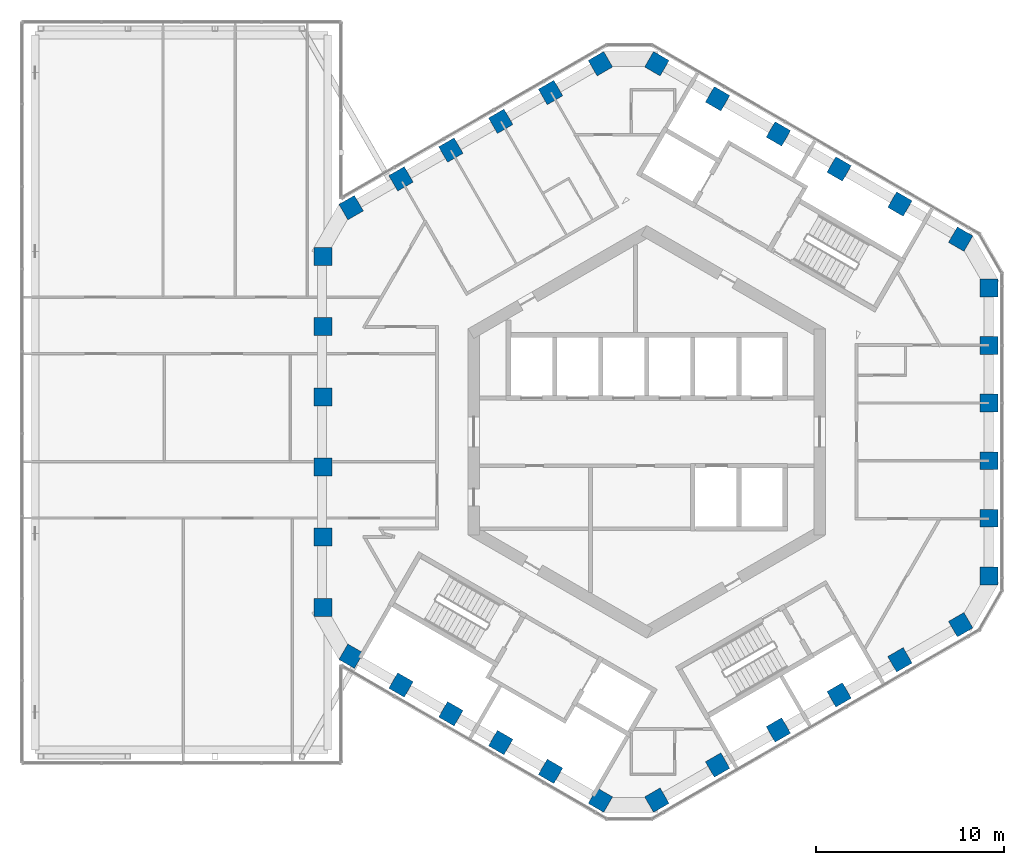
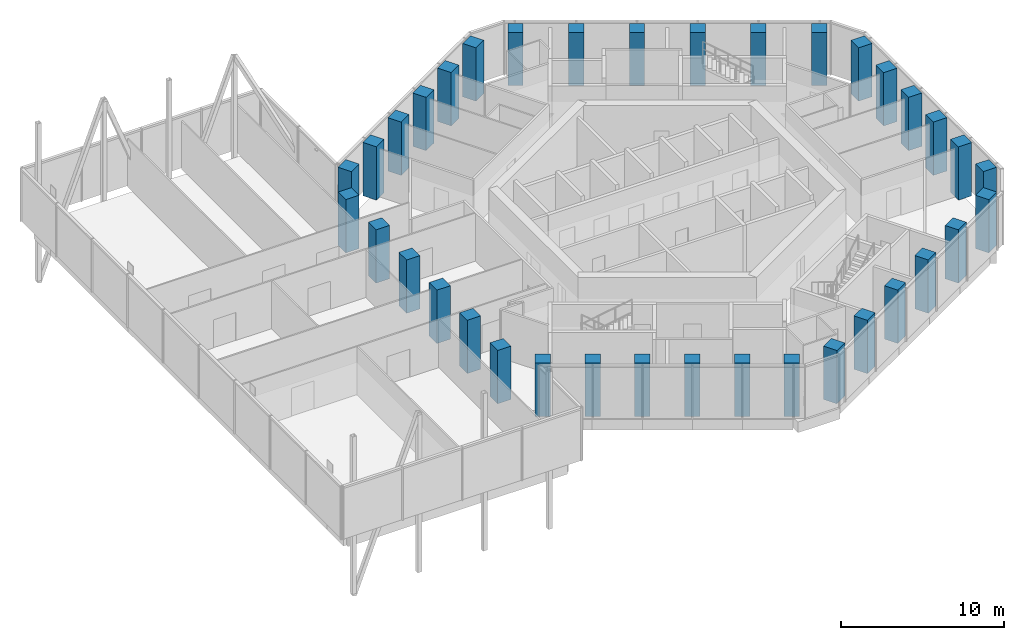
# One storey, part 1 of 21: 36 columns.
"""IFC4 building model written with IfcOpenShell, lengths in metres."""

from ifc_helpers import new_model, si_unit, direction, frame, origin, origin_2d, place, context, subcontext, project, spatial, rectangle, extrude, material, material_profile, profile_set, type_object, element, save


model = new_model("IFC4")

# Units and contexts
model_context = context("Model", 3, precision=1e-05, world=origin(), true_north=direction((0.0, 1.0)))
body_context = subcontext(model_context, "Body", "Model", "MODEL_VIEW")
ifc_project = project(units=[si_unit("LENGTHUNIT", "METRE"), si_unit("AREAUNIT", "SQUARE_METRE"), si_unit("VOLUMEUNIT", "CUBIC_METRE"), si_unit("PLANEANGLEUNIT", "RADIAN"), si_unit("MASSUNIT", "GRAM", prefix="KILO")], contexts=[model_context])

# Site, building, storey
site_placement = place(None, origin())
site = spatial("IfcSite", under=ifc_project, at=site_placement, CompositionType="ELEMENT")
building_placement = place(site_placement, origin())
building = spatial("IfcBuilding", under=site, at=building_placement, Name="Ayvan Gate Tower", CompositionType="ELEMENT")
storey_placement = place(building_placement, frame((0.0, 0.0, 206.10009765625)))
storey = spatial("IfcBuildingStorey", under=building, at=storey_placement, Name="L55", CompositionType="ELEMENT", Elevation=206.10009765625)

# Columns
ifc_material = material(Name="Concrete C55/67", Category="concrete")
ifc_material_profile = material_profile(ifc_material, rectangle(XDim=0.949951171875, YDim=0.949951171875, at=origin_2d()), Name="RC 950x950")
ifc_profile_set = profile_set([ifc_material_profile], Name="Concrete C55/67")
column_type = type_object("IfcColumnType", Name="Tube column RC 950x950 C55/67", PredefinedType="COLUMN", material=ifc_profile_set)
for number, where, z_axis, x_axis, name in (
    (1, (18.1865234375, -7.6513671875, 0.0), (0.0, 0.0, 1.0), (1.0, 0.0, 0.0), "C-T0-0-L55"),
    (2, (18.1865234375, -4.5908203125, 0.0), (0.0, 0.0, 1.0), (1.0, 0.0, 0.0), "C-T0-1-L55"),
    (3, (18.1865234375, -1.5302734375, 0.0), (0.0, 0.0, 1.0), (1.0, 0.0, 0.0), "C-T0-2-L55"),
    (4, (18.1865234375, 1.5302734375, 0.0), (0.0, 0.0, 1.0), (1.0, 0.0, 0.0), "C-T0-3-L55"),
    (5, (18.1865234375, 4.5908203125, 0.0), (0.0, 0.0, 1.0), (1.0, 0.0, 0.0), "C-T0-4-L55"),
    (6, (18.1865234375, 7.6513671875, 0.0), (0.0, 0.0, 1.0), (1.0, 0.0, 0.0), "C-T0-5-L55"),
    (7, (16.6865234375, 10.24951171875, 0.0), (0.0, 0.0, 1.0), (0.5, 0.866025403784, 0.0), "C-T1-0-L55"),
    (8, (13.455810546875, 12.11474609375, 0.0), (0.0, 0.0, 1.0), (0.5, 0.866025403784, 0.0), "C-T1-1-L55"),
    (9, (10.22509765625, 13.97998046875, 0.0), (0.0, 0.0, 1.0), (0.5, 0.866025403784, 0.0), "C-T1-2-L55"),
    (10, (6.994384765625, 15.84521484375, 0.0), (0.0, 0.0, 1.0), (0.5, 0.866025403784, 0.0), "C-T1-3-L55"),
    (11, (3.763671875, 17.71044921875, 0.0), (0.0, 0.0, 1.0), (0.5, 0.866025403784, 0.0), "C-T1-4-L55"),
    (12, (0.532958984375, 19.57568359375, 0.0), (0.0, 0.0, 1.0), (0.5, 0.866025403784, 0.0), "C-T1-5-L55"),
    (13, (-2.467041015625, 19.57568359375, 0.0), (0.0, 0.0, 1.0), (-0.5, 0.866025403784, 0.0), "C-T2-0-L55"),
    (14, (-5.117431640625, 18.04541015625, 0.0), (0.0, 0.0, 1.0), (-0.5, 0.866025403784, 0.0), "C-T2-1-L55"),
    (15, (-7.76806640625, 16.51513671875, 0.0), (0.0, 0.0, 1.0), (-0.5, 0.866025403784, 0.0), "C-T2-2-L55"),
    (16, (-10.41845703125, 14.98486328125, 0.0), (0.0, 0.0, 1.0), (-0.5, 0.866025403784, 0.0), "C-T2-3-L55"),
    (17, (-13.069091796875, 13.45458984375, 0.0), (0.0, 0.0, 1.0), (-0.5, 0.866025403784, 0.0), "C-T2-4-L55"),
    (18, (-15.719482421875, 11.92431640625, 0.0), (0.0, 0.0, 1.0), (-0.5, 0.866025403784, 0.0), "C-T2-5-L55"),
    (19, (-17.219482421875, 9.326171875, 0.0), (0.0, 0.0, 1.0), (-1.0, 0.0, 0.0), "C-T3-0-L55"),
    (20, (-17.219482421875, 5.595703125, 0.0), (0.0, 0.0, 1.0), (-1.0, 0.0, 0.0), "C-T3-1-L55"),
    (21, (-17.219482421875, 1.865234375, 0.0), (0.0, 0.0, 1.0), (-1.0, 0.0, 0.0), "C-T3-2-L55"),
    (22, (-17.219482421875, -1.865234375, 0.0), (0.0, 0.0, 1.0), (-1.0, 0.0, 0.0), "C-T3-3-L55"),
    (23, (-17.219482421875, -5.595703125, 0.0), (0.0, 0.0, 1.0), (-1.0, 0.0, 0.0), "C-T3-4-L55"),
    (24, (-17.219482421875, -9.326171875, 0.0), (0.0, 0.0, 1.0), (-1.0, 0.0, 0.0), "C-T3-5-L55"),
    (25, (-15.719482421875, -11.92431640625, 0.0), (0.0, 0.0, 1.0), (-0.5, -0.866025403784, 0.0), "C-T4-0-L55"),
    (26, (-13.069091796875, -13.45458984375, 0.0), (0.0, 0.0, 1.0), (-0.5, -0.866025403784, 0.0), "C-T4-1-L55"),
    (27, (-10.41845703125, -14.98486328125, 0.0), (0.0, 0.0, 1.0), (-0.5, -0.866025403784, 0.0), "C-T4-2-L55"),
    (28, (-7.76806640625, -16.51513671875, 0.0), (0.0, 0.0, 1.0), (-0.5, -0.866025403784, 0.0), "C-T4-3-L55"),
    (29, (-5.117431640625, -18.04541015625, 0.0), (0.0, 0.0, 1.0), (-0.5, -0.866025403784, 0.0), "C-T4-4-L55"),
    (30, (-2.467041015625, -19.57568359375, 0.0), (0.0, 0.0, 1.0), (-0.5, -0.866025403784, 0.0), "C-T4-5-L55"),
    (31, (0.532958984375, -19.57568359375, 0.0), (0.0, 0.0, 1.0), (0.5, -0.866025403784, 0.0), "C-T5-0-L55"),
    (32, (3.763671875, -17.71044921875, 0.0), (0.0, 0.0, 1.0), (0.5, -0.866025403784, 0.0), "C-T5-1-L55"),
    (33, (6.994384765625, -15.84521484375, 0.0), (0.0, 0.0, 1.0), (0.5, -0.866025403784, 0.0), "C-T5-2-L55"),
    (34, (10.22509765625, -13.97998046875, 0.0), (0.0, 0.0, 1.0), (0.5, -0.866025403784, 0.0), "C-T5-3-L55"),
    (35, (13.455810546875, -12.11474609375, 0.0), (0.0, 0.0, 1.0), (0.5, -0.866025403784, 0.0), "C-T5-4-L55"),
    (36, (16.6865234375, -10.24951171875, 0.0), (0.0, 0.0, 1.0), (0.5, -0.866025403784, 0.0), "C-T5-5-L55"),
):
    element("IfcColumn", number, at=place(storey_placement, frame(where, z_axis=z_axis, x_axis=x_axis)), inside=storey, type_object=column_type, Name=name, PredefinedType="COLUMN", context=body_context, shape_type="SweptSolid", body=[
        extrude(rectangle(XDim=0.949951171875, YDim=0.949951171875, at=origin_2d()), origin(), (0.0, 0.0, 1.0), 4.0),
    ])

save(model, "model.ifc")
